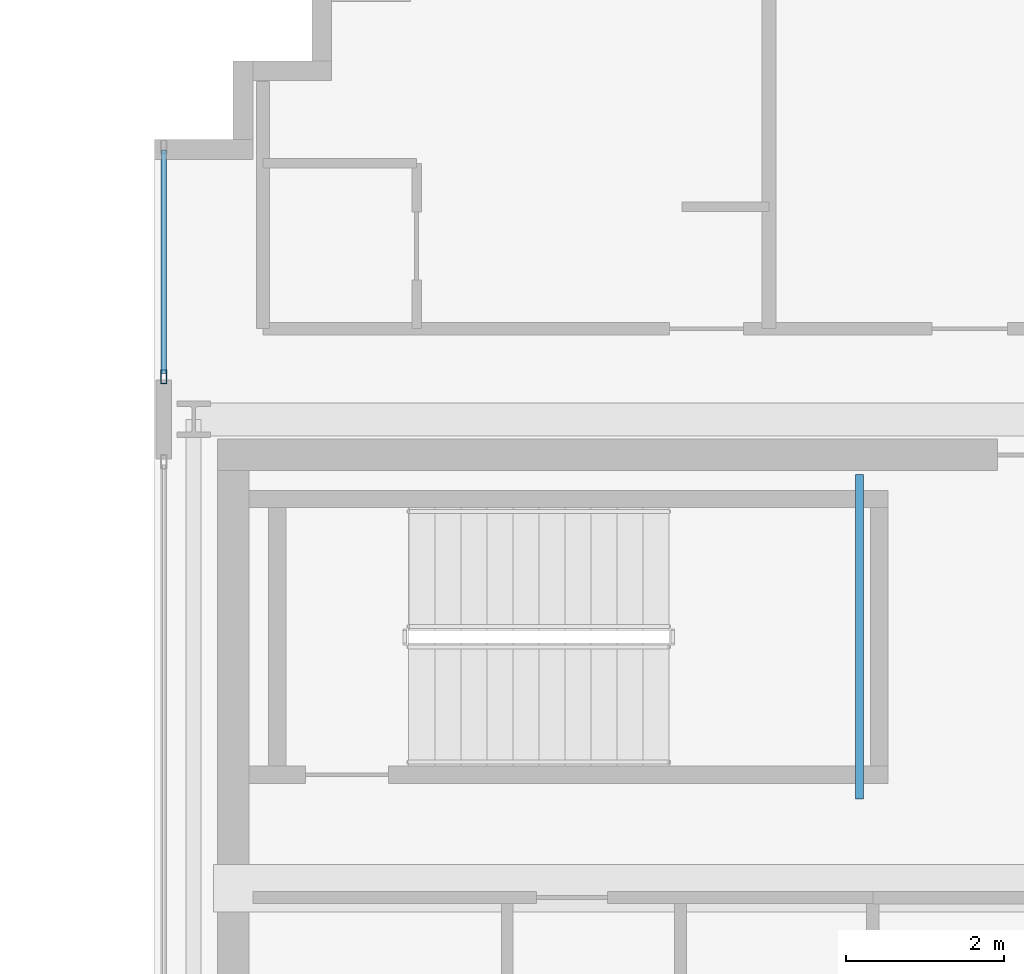
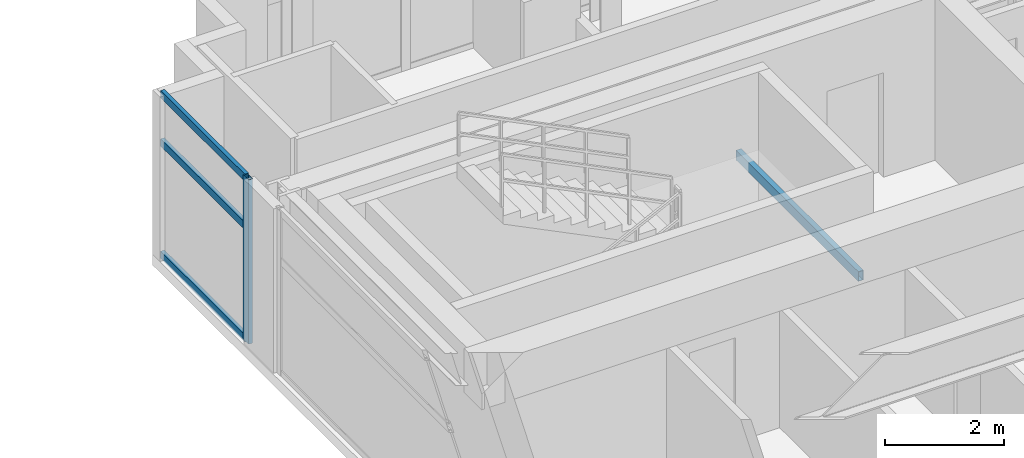
# One storey, part 13 of 25: 4 members, 1 beam, 1 element without a shape of its own.
"""IFC4 building model written with IfcOpenShell, lengths in metres."""

from ifc_helpers import new_model, si_unit, direction, frame, origin, origin_2d, place, context, subcontext, project, spatial, hollow_rectangle, extrude, source, transform, mapped, material, layer, layer_set, material_profile, profile_set, type_object, element, aggregate, save


model = new_model("IFC4")

# Units and contexts
model_context = context("Model", 3, precision=1e-05, world=origin(), true_north=direction((0.0, 1.0)))
body_context = subcontext(model_context, "Body", "Model", "MODEL_VIEW")
ifc_project = project(units=[si_unit("LENGTHUNIT", "METRE"), si_unit("AREAUNIT", "SQUARE_METRE"), si_unit("VOLUMEUNIT", "CUBIC_METRE"), si_unit("PLANEANGLEUNIT", "RADIAN"), si_unit("MASSUNIT", "GRAM", prefix="KILO")], contexts=[model_context])

# Site, building, storey
site_placement = place(None, origin())
site = spatial("IfcSite", under=ifc_project, at=site_placement, CompositionType="ELEMENT")
building_placement = place(site_placement, origin())
building = spatial("IfcBuilding", under=site, at=building_placement, Name="Ocotamira Hotel", CompositionType="ELEMENT")
storey_placement = place(building_placement, frame((0.0, 0.0, 261.60009765625)))
storey = spatial("IfcBuildingStorey", under=building, at=storey_placement, Name="L66", CompositionType="ELEMENT", Elevation=261.60009765625)

# Beam
ifc_material_1 = material(Name="Steel ASTM A500 Grade C", Category="steel")
ifc_material_profile_1 = material_profile(ifc_material_1, hollow_rectangle(XDim=0.10009765625, YDim=0.199951171875, WallThickness=0.008056640625, at=origin_2d()), Name="HSS200X100X8")
ifc_profile_set_1 = profile_set([ifc_material_profile_1], Name="Steel ASTM A500 Grade C")
beam_type = type_object("IfcBeamType", Name="BM-STLDG-HSS200", PredefinedType="BEAM", material=ifc_profile_set_1)
shared_shape_1 = source(origin(), body_context, "Body", "SweptSolid", [
    extrude(hollow_rectangle(XDim=0.10009765625, YDim=0.199951171875, WallThickness=0.008056640625, at=origin_2d()), origin(), (0.0, 0.0, 1.0), 4.1201171875),
])
beam_placement = place(storey_placement, frame((48.949951171875, 32.6298828125, 1.5), z_axis=(0.0, 1.0, 0.0), x_axis=(-1.0, 0.0, 0.0)))
element("IfcBeam", 1, at=beam_placement, inside=storey, type_object=beam_type, Name="L66 Stair ST-4 Landing Bearer 1", PredefinedType="BEAM", context=body_context, shape_type="MappedRepresentation", body=[
    mapped(shared_shape_1, transform((0.0, 0.0, 0.0), scale=1.0)),
])

# Curtain wall, members
ifc_material_2 = material(Name="Anodised pale-metal aluminium and solar glass", Category="aluminium")
ifc_layer = layer(ifc_material_2, 0.2099609375)
ifc_layer_set = layer_set([ifc_layer], Name="Anodised pale-metal aluminium and solar glass")
curtain_wall_type = type_object("IfcCurtainWallType", Name="CW-SYS7-PEAK", PredefinedType="NOTDEFINED", material=ifc_layer_set)
curtain_wall_placement = place(storey_placement, origin())
curtain_wall = element("IfcCurtainWall", 2, at=curtain_wall_placement, inside=storey, type_object=curtain_wall_type, Name="L66 Curtain Wall CW-7 CW-L66-EI4", PredefinedType="NOTDEFINED")
ifc_material_3 = material(Name="Anodised pale-metal aluminium 6063-T6", Category="aluminium")
ifc_material_profile_2 = material_profile(ifc_material_3, hollow_rectangle(XDim=0.080078125, YDim=0.179931640625, WallThickness=0.006103515625, at=origin_2d()), Name="HSS180X80X6")
ifc_profile_set_2 = profile_set([ifc_material_profile_2], Name="Anodised pale-metal aluminium 6063-T6")
member_type_1 = type_object("IfcMemberType", Name="CWM-180X75", PredefinedType="MULLION", material=ifc_profile_set_2)
shared_shape_2 = source(origin(), body_context, "Body", "SweptSolid", [
    extrude(hollow_rectangle(XDim=0.080078125, YDim=0.179931640625, WallThickness=0.006103515625, at=origin_2d()), origin(), (0.0, 0.0, 1.0), 3.3798828125),
])
member_1_placement = place(storey_placement, frame((40.1201171875, 37.989990234375, 0.0), z_axis=(0.0, 0.0, 1.0), x_axis=(-1.0, 0.0, 0.0)))
member_1 = element("IfcMember", 3, at=member_1_placement, type_object=member_type_1, Name="CW-7 mullion 1", PredefinedType="MULLION", context=body_context, shape_type="MappedRepresentation", body=[
    mapped(shared_shape_2, transform((0.0, 0.0, 0.0), scale=1.0)),
])
ifc_material_profile_3 = material_profile(ifc_material_3, hollow_rectangle(XDim=0.074951171875, YDim=0.14990234375, WallThickness=0.006103515625, at=origin_2d()), Name="HSS150X75X6")
ifc_profile_set_3 = profile_set([ifc_material_profile_3], Name="Anodised pale-metal aluminium 6063-T6")
member_type_2 = type_object("IfcMemberType", Name="CWT-150X75", PredefinedType="USERDEFINED", material=ifc_profile_set_3)
shared_shape_3 = source(origin(), body_context, "Body", "SweptSolid", [
    extrude(hollow_rectangle(XDim=0.074951171875, YDim=0.14990234375, WallThickness=0.006103515625, at=origin_2d()), origin(), (0.0, 0.0, 1.0), 2.840087890625),
])
member_2_placement = place(storey_placement, frame((40.1201171875, 38.030029296875, 0.037353515625), z_axis=(0.0, 1.0, 0.0), x_axis=(-1.0, 0.0, 0.0)))
member_2 = element("IfcMember", 4, at=member_2_placement, type_object=member_type_2, Name="CW-7 transom 1.1", ObjectType="TRANSOM", PredefinedType="USERDEFINED", context=body_context, shape_type="MappedRepresentation", body=[
    mapped(shared_shape_3, transform((0.0, 0.0, 0.0), scale=1.0)),
])
member_3_placement = place(storey_placement, frame((40.1201171875, 38.030029296875, 2.349853515625), z_axis=(0.0, 1.0, 0.0), x_axis=(-1.0, 0.0, 0.0)))
member_3 = element("IfcMember", 5, at=member_3_placement, type_object=member_type_2, Name="CW-7 transom 1.2", ObjectType="TRANSOM", PredefinedType="USERDEFINED", context=body_context, shape_type="MappedRepresentation", body=[
    mapped(shared_shape_3, transform((0.0, 0.0, 0.0), scale=1.0)),
])
member_4_placement = place(storey_placement, frame((40.1201171875, 38.030029296875, 3.34228515625), z_axis=(0.0, 1.0, 0.0), x_axis=(-1.0, 0.0, 0.0)))
member_4 = element("IfcMember", 6, at=member_4_placement, type_object=member_type_2, Name="CW-7 transom 1.3", ObjectType="TRANSOM", PredefinedType="USERDEFINED", context=body_context, shape_type="MappedRepresentation", body=[
    mapped(shared_shape_3, transform((0.0, 0.0, 0.0), scale=1.0)),
])
aggregate(curtain_wall, [member_1, member_2, member_3, member_4])

save(model, "model.ifc")
